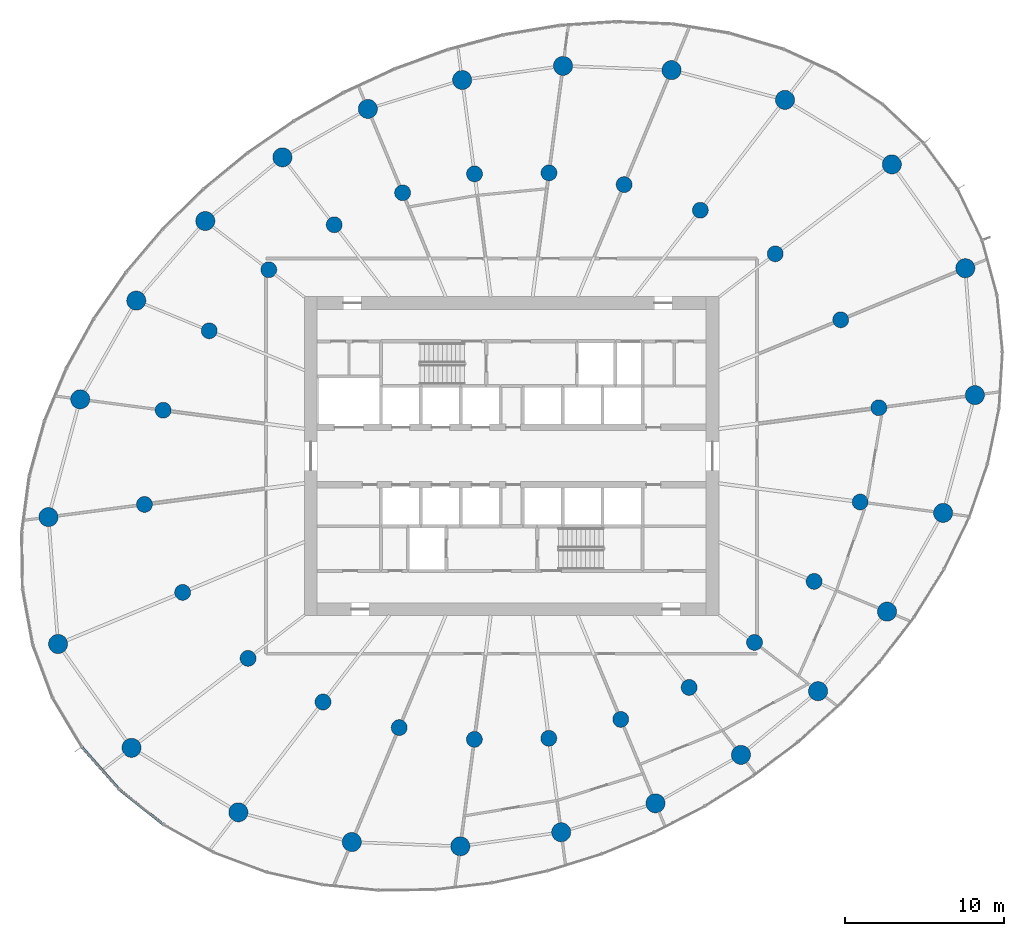
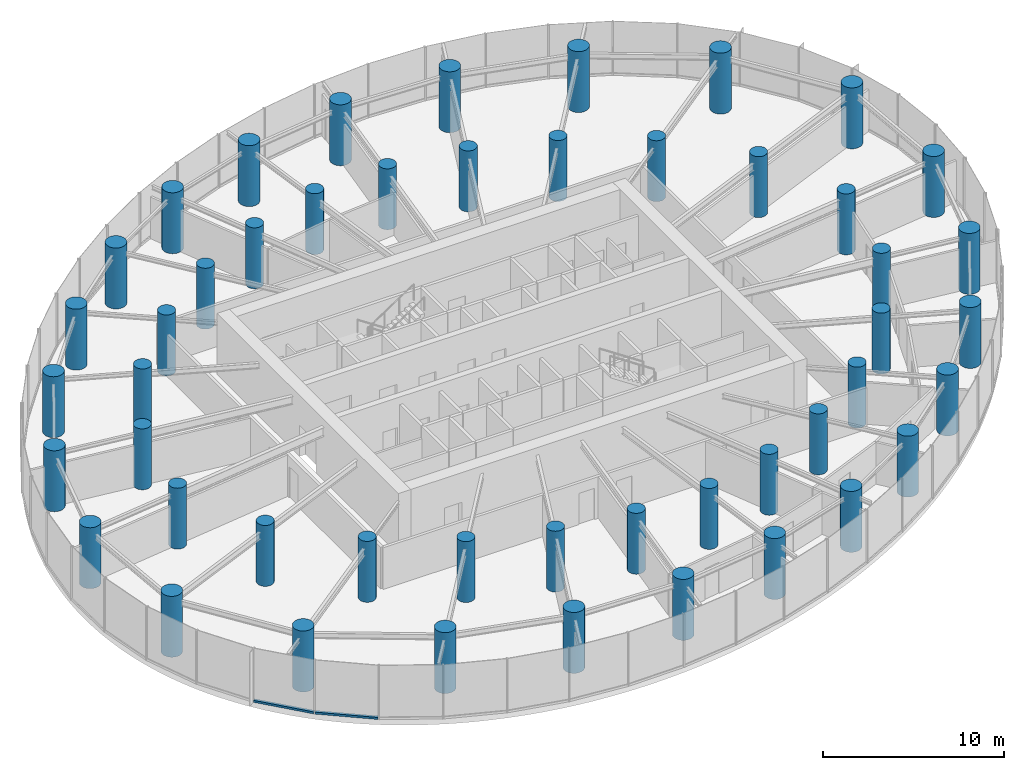
# One storey, part 1 of 17: 48 columns, 2 members, 1 element without a shape of its own.
"""IFC4 building model written with IfcOpenShell, lengths in metres."""

from ifc_helpers import new_model, si_unit, direction, frame, origin, origin_2d, place, context, subcontext, project, spatial, rectangle, circle, extrude, source, transform, mapped, material, layer, layer_set, material_profile, profile_set, type_object, element, aggregate, save


model = new_model("IFC4")

# Units and contexts
model_context = context("Model", 3, precision=1e-05, world=origin(), true_north=direction((0.0, 1.0)))
body_context = subcontext(model_context, "Body", "Model", "MODEL_VIEW")
ifc_project = project(units=[si_unit("LENGTHUNIT", "METRE"), si_unit("AREAUNIT", "SQUARE_METRE"), si_unit("VOLUMEUNIT", "CUBIC_METRE"), si_unit("PLANEANGLEUNIT", "RADIAN"), si_unit("MASSUNIT", "GRAM", prefix="KILO")], contexts=[model_context])

# Site, building, storey
site_placement = place(None, origin())
site = spatial("IfcSite", under=ifc_project, at=site_placement, CompositionType="ELEMENT")
building_placement = place(site_placement, origin())
building = spatial("IfcBuilding", under=site, at=building_placement, Name="Spindrift Exchange Tower", CompositionType="ELEMENT")
storey_placement = place(building_placement, frame((0.0, 0.0, 124.89990234375)))
storey = spatial("IfcBuildingStorey", under=building, at=storey_placement, Name="L29", CompositionType="ELEMENT", Elevation=124.89990234375)

# Columns
ifc_material_1 = material(Name="Concrete 65 MPa", Category="concrete")
ifc_material_profile_1 = material_profile(ifc_material_1, circle(Radius=0.60009765625, at=origin_2d()), Name="RC D1200")
ifc_profile_set_1 = profile_set([ifc_material_profile_1], Name="Concrete 65 MPa")
column_type_1 = type_object("IfcColumnType", Name="RC Perimeter Column D1200 Concrete 65 MPa", PredefinedType="COLUMN", material=ifc_profile_set_1)
shared_shape_1 = source(origin(), body_context, "Body", "SweptSolid", [
    extrude(circle(Radius=0.60009765625, at=origin_2d()), origin(), (0.0, 0.0, 1.0), 4.10009765625),
])
for number, where, z_axis, x_axis, name in (
    (1, (81.056396484375, 51.8251953125, 0.0), (0.0, 0.0, 1.0), (1.0, 0.0, 0.0), "Perimeter column P2-01 L29"),
    (2, (80.45556640625, 59.78662109375, 0.0), (0.0, 0.0, 1.0), (1.0, 0.0, 0.0), "Perimeter column P2-02 L29"),
    (3, (75.84814453125, 66.29931640625, 0.0), (0.0, 0.0, 1.0), (1.0, 0.0, 0.0), "Perimeter column P2-03 L29"),
    (4, (69.145751953125, 70.3447265625, 0.0), (0.0, 0.0, 1.0), (1.0, 0.0, 0.0), "Perimeter column P2-04 L29"),
    (5, (62.029052734375, 72.212158203125, 0.0), (0.0, 0.0, 1.0), (1.0, 0.0, 0.0), "Perimeter column P2-05 L29"),
    (6, (55.222412109375, 72.476806640625, 0.0), (0.0, 0.0, 1.0), (1.0, 0.0, 0.0), "Perimeter column P2-06 L29"),
    (7, (48.8935546875, 71.595458984375, 0.0), (0.0, 0.0, 1.0), (1.0, 0.0, 0.0), "Perimeter column P2-07 L29"),
    (8, (42.978271484375, 69.780517578125, 0.0), (0.0, 0.0, 1.0), (1.0, 0.0, 0.0), "Perimeter column P2-08 L29"),
    (9, (37.617919921875, 66.742919921875, 0.0), (0.0, 0.0, 1.0), (1.0, 0.0, 0.0), "Perimeter column P2-09 L29"),
    (10, (32.7802734375, 62.747802734375, 0.0), (0.0, 0.0, 1.0), (1.0, 0.0, 0.0), "Perimeter column P2-10 L29"),
    (11, (28.4521484375, 57.75390625, 0.0), (0.0, 0.0, 1.0), (1.0, 0.0, 0.0), "Perimeter column P2-11 L29"),
    (12, (24.935546875, 51.56298828125, 0.0), (0.0, 0.0, 1.0), (1.0, 0.0, 0.0), "Perimeter column P2-12 L29"),
    (13, (22.943603515625, 44.1748046875, 0.0), (0.0, 0.0, 1.0), (1.0, 0.0, 0.0), "Perimeter column P2-13 L29"),
    (14, (23.54443359375, 36.21337890625, 0.0), (0.0, 0.0, 1.0), (1.0, 0.0, 0.0), "Perimeter column P2-14 L29"),
    (15, (28.15185546875, 29.70068359375, 0.0), (0.0, 0.0, 1.0), (1.0, 0.0, 0.0), "Perimeter column P2-15 L29"),
    (16, (34.854248046875, 25.6552734375, 0.0), (0.0, 0.0, 1.0), (1.0, 0.0, 0.0), "Perimeter column P2-16 L29"),
    (17, (41.970947265625, 23.787841796875, 0.0), (0.0, 0.0, 1.0), (1.0, 0.0, 0.0), "Perimeter column P2-17 L29"),
    (18, (48.777587890625, 23.523193359375, 0.0), (0.0, 0.0, 1.0), (1.0, 0.0, 0.0), "Perimeter column P2-18 L29"),
    (19, (55.1064453125, 24.404541015625, 0.0), (0.0, 0.0, 1.0), (1.0, 0.0, 0.0), "Perimeter column P2-19 L29"),
    (20, (61.021728515625, 26.219482421875, 0.0), (0.0, 0.0, 1.0), (1.0, 0.0, 0.0), "Perimeter column P2-20 L29"),
    (21, (66.382080078125, 29.257080078125, 0.0), (0.0, 0.0, 1.0), (1.0, 0.0, 0.0), "Perimeter column P2-21 L29"),
    (22, (71.2197265625, 33.252197265625, 0.0), (0.0, 0.0, 1.0), (1.0, 0.0, 0.0), "Perimeter column P2-22 L29"),
    (23, (75.5478515625, 38.24609375, 0.0), (0.0, 0.0, 1.0), (1.0, 0.0, 0.0), "Perimeter column P2-23 L29"),
    (24, (79.064453125, 44.43701171875, 0.0), (0.0, 0.0, 1.0), (1.0, 0.0, 0.0), "Perimeter column P2-24 L29"),
):
    element("IfcColumn", number, at=place(storey_placement, frame(where, z_axis=z_axis, x_axis=x_axis)), inside=storey, type_object=column_type_1, Name=name, PredefinedType="COLUMN", context=body_context, shape_type="MappedRepresentation", body=[
        mapped(shared_shape_1, transform((0.0, 0.0, 0.0), scale=1.0)),
    ])
ifc_material_profile_2 = material_profile(ifc_material_1, circle(Radius=0.5, at=origin_2d()), Name="RC D1000")
ifc_profile_set_2 = profile_set([ifc_material_profile_2], Name="Concrete 65 MPa")
column_type_2 = type_object("IfcColumnType", Name="RC Inner Column D1000 Concrete 65 MPa", PredefinedType="COLUMN", material=ifc_profile_set_2)
shared_shape_2 = source(origin(), body_context, "Body", "SweptSolid", [
    extrude(circle(Radius=0.5, at=origin_2d()), origin(), (0.0, 0.0, 1.0), 4.10009765625),
])
for number, where, z_axis, x_axis, name in (
    (25, (75.033935546875, 51.032470703125, 0.0), (0.0, 0.0, 1.0), (1.0, 0.0, 0.0), "Inner column Q2-01 L29"),
    (26, (72.639404296875, 56.549072265625, 0.0), (0.0, 0.0, 1.0), (1.0, 0.0, 0.0), "Inner column Q2-02 L29"),
    (27, (68.534912109375, 60.6875, 0.0), (0.0, 0.0, 1.0), (1.0, 0.0, 0.0), "Inner column Q2-03 L29"),
    (28, (63.835205078125, 63.423828125, 0.0), (0.0, 0.0, 1.0), (1.0, 0.0, 0.0), "Inner column Q2-04 L29"),
    (29, (59.0546875, 65.03125, 0.0), (0.0, 0.0, 1.0), (1.0, 0.0, 0.0), "Inner column Q2-05 L29"),
    (30, (54.339111328125, 65.767333984375, 0.0), (0.0, 0.0, 1.0), (1.0, 0.0, 0.0), "Inner column Q2-06 L29"),
    (31, (49.669189453125, 65.703125, 0.0), (0.0, 0.0, 1.0), (1.0, 0.0, 0.0), "Inner column Q2-07 L29"),
    (32, (45.158203125, 64.517578125, 0.0), (0.0, 0.0, 1.0), (1.0, 0.0, 0.0), "Inner column Q2-08 L29"),
    (33, (40.8662109375, 62.510009765625, 0.0), (0.0, 0.0, 1.0), (1.0, 0.0, 0.0), "Inner column Q2-09 L29"),
    (34, (36.767578125, 59.688232421875, 0.0), (0.0, 0.0, 1.0), (1.0, 0.0, 0.0), "Inner column Q2-10 L29"),
    (35, (33.027587890625, 55.858642578125, 0.0), (0.0, 0.0, 1.0), (1.0, 0.0, 0.0), "Inner column Q2-11 L29"),
    (36, (30.13671875, 50.87841796875, 0.0), (0.0, 0.0, 1.0), (1.0, 0.0, 0.0), "Inner column Q2-12 L29"),
    (37, (28.966064453125, 44.967529296875, 0.0), (0.0, 0.0, 1.0), (1.0, 0.0, 0.0), "Inner column Q2-13 L29"),
    (38, (31.360595703125, 39.450927734375, 0.0), (0.0, 0.0, 1.0), (1.0, 0.0, 0.0), "Inner column Q2-14 L29"),
    (39, (35.465087890625, 35.3125, 0.0), (0.0, 0.0, 1.0), (1.0, 0.0, 0.0), "Inner column Q2-15 L29"),
    (40, (40.164794921875, 32.576171875, 0.0), (0.0, 0.0, 1.0), (1.0, 0.0, 0.0), "Inner column Q2-16 L29"),
    (41, (44.9453125, 30.96875, 0.0), (0.0, 0.0, 1.0), (1.0, 0.0, 0.0), "Inner column Q2-17 L29"),
    (42, (49.660888671875, 30.232666015625, 0.0), (0.0, 0.0, 1.0), (1.0, 0.0, 0.0), "Inner column Q2-18 L29"),
    (43, (54.330810546875, 30.296875, 0.0), (0.0, 0.0, 1.0), (1.0, 0.0, 0.0), "Inner column Q2-19 L29"),
    (44, (58.841796875, 31.482421875, 0.0), (0.0, 0.0, 1.0), (1.0, 0.0, 0.0), "Inner column Q2-20 L29"),
    (45, (63.1337890625, 33.489990234375, 0.0), (0.0, 0.0, 1.0), (1.0, 0.0, 0.0), "Inner column Q2-21 L29"),
    (46, (67.232421875, 36.311767578125, 0.0), (0.0, 0.0, 1.0), (1.0, 0.0, 0.0), "Inner column Q2-22 L29"),
    (47, (70.972412109375, 40.141357421875, 0.0), (0.0, 0.0, 1.0), (1.0, 0.0, 0.0), "Inner column Q2-23 L29"),
    (48, (73.86328125, 45.12158203125, 0.0), (0.0, 0.0, 1.0), (1.0, 0.0, 0.0), "Inner column Q2-24 L29"),
):
    element("IfcColumn", number, at=place(storey_placement, frame(where, z_axis=z_axis, x_axis=x_axis)), inside=storey, type_object=column_type_2, Name=name, PredefinedType="COLUMN", context=body_context, shape_type="MappedRepresentation", body=[
        mapped(shared_shape_2, transform((0.0, 0.0, 0.0), scale=1.0)),
    ])

# Curtain wall, members
ifc_material_2 = material(Name="Fritted laminated glass with bronze frame", Category="glass")
ifc_layer = layer(ifc_material_2, 0.18994140625)
ifc_layer_set = layer_set([ifc_layer], Name="ZONE 2 BRONZE FRITTED WALL")
curtain_wall_type = type_object("IfcCurtainWallType", Name="ZONE 2 BRONZE FRITTED WALL", PredefinedType="NOTDEFINED", material=ifc_layer_set)
curtain_wall_placement = place(storey_placement, origin())
curtain_wall = element("IfcCurtainWall", 49, at=curtain_wall_placement, inside=storey, type_object=curtain_wall_type, Name="L29 Zone 2 Bronze Fritted Wall run 5", PredefinedType="NOTDEFINED")
ifc_material_3 = material(Name="Bronze anodised aluminium", Category="aluminium")
ifc_material_profile_3 = material_profile(ifc_material_3, rectangle(XDim=0.169921875, YDim=0.139892578125, at=origin_2d()), Name="ZONE 2 BRONZE FRITTED WALL TRANSOM 170X140")
ifc_profile_set_3 = profile_set([ifc_material_profile_3], Name="Bronze anodised aluminium")
member_type = type_object("IfcMemberType", Name="ZONE 2 BRONZE FRITTED WALL TRANSOM 170X140", PredefinedType="USERDEFINED", material=ifc_profile_set_3)
shared_shape_3 = source(origin(), body_context, "Body", "SweptSolid", [
    extrude(rectangle(XDim=0.169921875, YDim=0.139892578125, at=origin_2d()), origin(), (0.0, 0.0, 1.0), 3.48779296875),
])
member_1_placement = place(storey_placement, frame((25.046875, 29.734619140625, 0.070068359375), z_axis=(0.661704978671, -0.749764310435, 0.0), x_axis=(0.749764310435, 0.661704978671, 0.0)))
member_1 = element("IfcMember", 50, at=member_1_placement, type_object=member_type, Name="L29 transom CW-2.27", ObjectType="TRANSOM", PredefinedType="USERDEFINED", context=body_context, shape_type="MappedRepresentation", body=[
    mapped(shared_shape_3, transform((0.0, 0.0, 0.0), scale=1.0)),
])
shared_shape_4 = source(origin(), body_context, "Body", "SweptSolid", [
    extrude(rectangle(XDim=0.169921875, YDim=0.139892578125, at=origin_2d()), origin(), (0.0, 0.0, 1.0), 3.488525390625),
])
member_2_placement = place(storey_placement, frame((27.408935546875, 27.068359375, 0.070068359375), z_axis=(0.782994550687, -0.622028563327, 0.0), x_axis=(0.622028563327, 0.782994550687, 0.0)))
member_2 = element("IfcMember", 51, at=member_2_placement, type_object=member_type, Name="L29 transom CW-2.28", ObjectType="TRANSOM", PredefinedType="USERDEFINED", context=body_context, shape_type="MappedRepresentation", body=[
    mapped(shared_shape_4, transform((0.0, 0.0, 0.0), scale=1.0)),
])
aggregate(curtain_wall, [member_1, member_2])

save(model, "model.ifc")
